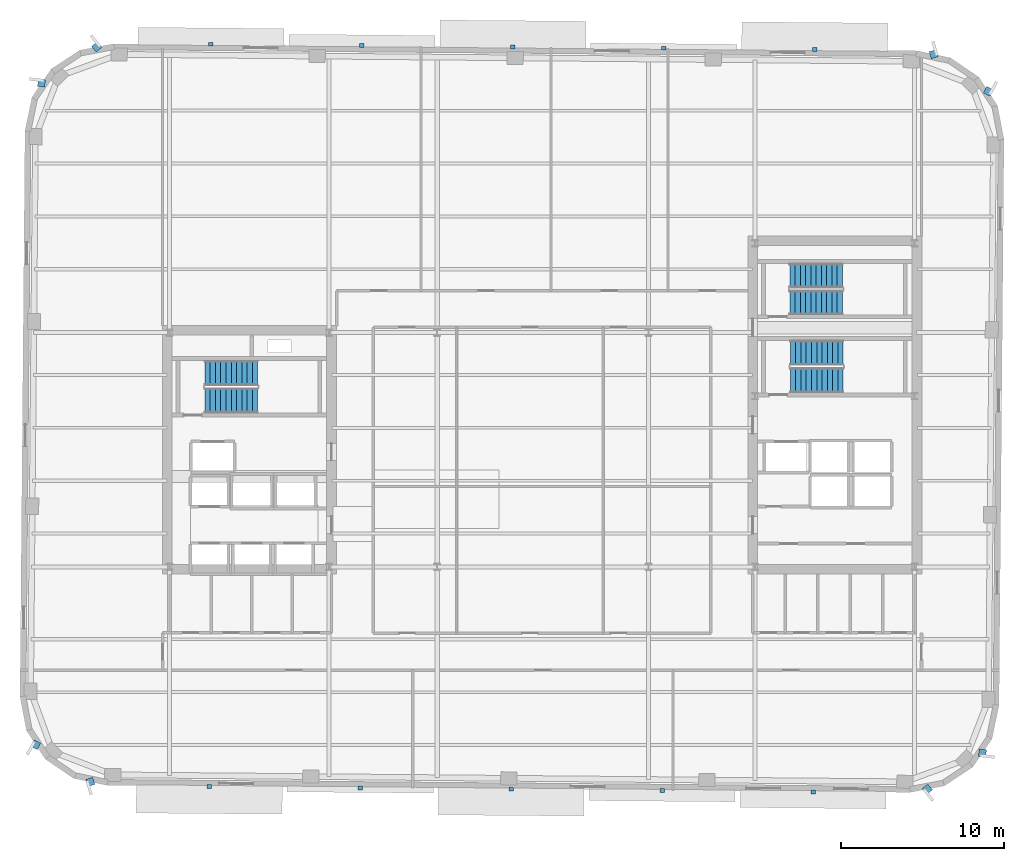
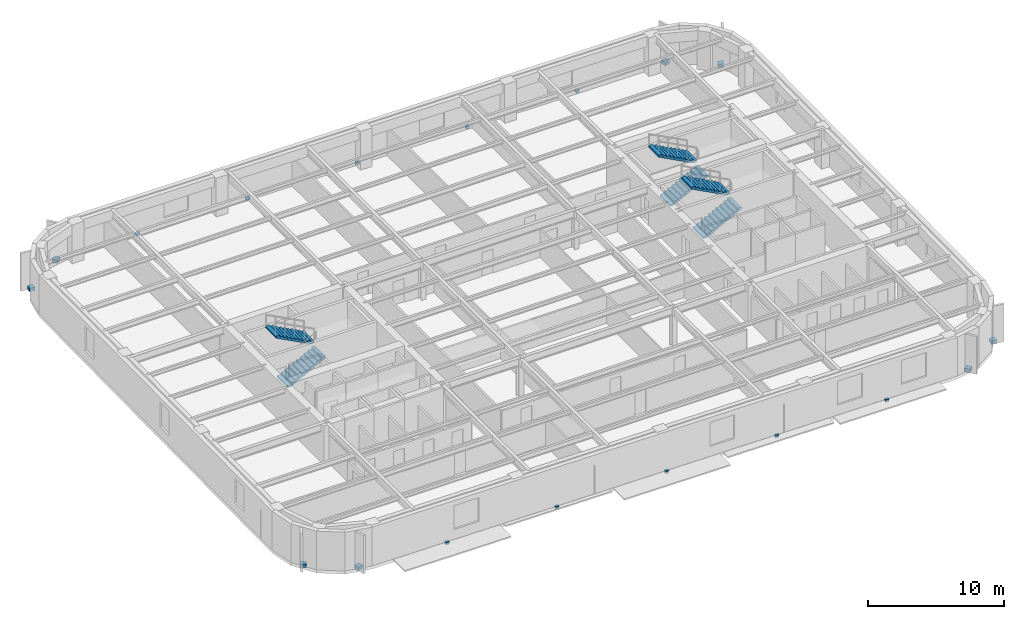
# One storey, part 7 of 12: 18 discrete accessories, 6 stair flights, 3 elements without a shape of their own.
"""IFC4 building model written with IfcOpenShell, lengths in metres."""

from ifc_helpers import new_model, si_unit, direction, frame, origin, origin_2d, place, context, subcontext, project, spatial, polyline, rectangle, outline, extrude, material, type_object, element, aggregate, save


model = new_model("IFC4")

# Units and contexts
model_context = context("Model", 3, precision=1e-05, world=origin(), true_north=direction((0.0, 1.0)))
body_context = subcontext(model_context, "Body", "Model", "MODEL_VIEW")
ifc_project = project(units=[si_unit("LENGTHUNIT", "METRE"), si_unit("AREAUNIT", "SQUARE_METRE"), si_unit("VOLUMEUNIT", "CUBIC_METRE"), si_unit("PLANEANGLEUNIT", "RADIAN"), si_unit("MASSUNIT", "GRAM", prefix="KILO")], contexts=[model_context])

# Site, building, storey
site_placement = place(None, origin())
site = spatial("IfcSite", under=ifc_project, at=site_placement, CompositionType="ELEMENT")
building_placement = place(site_placement, origin())
building = spatial("IfcBuilding", under=site, at=building_placement, Name="Kolvaren Arena Tower", CompositionType="ELEMENT")
storey_placement = place(building_placement, frame((0.0, 0.0, 188.449951171875)))
storey = spatial("IfcBuildingStorey", under=building, at=storey_placement, Name="L45", CompositionType="ELEMENT", Elevation=188.449951171875)

# Stair, stair flights
ifc_material_1 = material(Name="Concrete 45 MPa", Category="concrete")
stair_type_1 = type_object("IfcStairType", Name="STAIR-CORE-150", PredefinedType="HALF_TURN_STAIR", material=ifc_material_1)
stair_1_placement = place(storey_placement, origin())
stair_1 = element("IfcStair", 1, at=stair_1_placement, inside=storey, type_object=stair_type_1, Name="L45 ST-E2", PredefinedType="HALF_TURN_STAIR")
stair_flight_type_1 = type_object("IfcStairFlightType", Name="FLT-150", PredefinedType="STRAIGHT", material=ifc_material_1)
stair_flight_1_placement = place(storey_placement, frame((52.679931640625, 35.699951171875, 0.0), z_axis=(0.0, 0.0, 1.0), x_axis=(1.0, 0.0, 0.0)))
stair_flight_1 = element("IfcStairFlight", 2, at=stair_flight_1_placement, type_object=stair_flight_type_1, Name="ST-E2 flight 1", NumberOfRisers=11, NumberOfTreads=10, PredefinedType="STRAIGHT", RiserHeight=0.170454545, TreadLength=0.324, context=body_context, shape_type="SweptSolid", body=[
    extrude(outline(polyline([(0.0, 0.0), (0.0, 0.17041015625), (0.323974609375, 0.17041015625), (0.323974609375, 0.3408203125), (0.64794921875, 0.3408203125), (0.64794921875, 0.511474609375), (0.971923828125, 0.511474609375), (0.971923828125, 0.681884765625), (1.2958984375, 0.681884765625), (1.2958984375, 0.852294921875), (1.6201171875, 0.852294921875), (1.6201171875, 1.022705078125), (1.944091796875, 1.022705078125), (1.944091796875, 1.193115234375), (2.26806640625, 1.193115234375), (2.26806640625, 1.363525390625), (2.592041015625, 1.363525390625), (2.592041015625, 1.5341796875), (2.916015625, 1.5341796875), (2.916015625, 1.70458984375), (3.239990234375, 1.70458984375), (3.239990234375, 1.875), (3.239990234375, 1.53515625), (0.322021484375, 0.0), (0.0, 0.0)])), frame((0.0, 0.75, 0.0), z_axis=(0.0, -1.0, 0.0), x_axis=(1.0, 0.0, 0.0)), (0.0, 0.0, 1.0), 1.5),
])
stair_flight_2_placement = place(storey_placement, frame((55.919921875, 37.35009765625, 1.875), z_axis=(0.0, 0.0, 1.0), x_axis=(-1.0, 0.0, 0.0)))
stair_flight_2 = element("IfcStairFlight", 3, at=stair_flight_2_placement, type_object=stair_flight_type_1, Name="ST-E2 flight 2", NumberOfRisers=11, NumberOfTreads=10, PredefinedType="STRAIGHT", RiserHeight=0.170454545, TreadLength=0.324, context=body_context, shape_type="SweptSolid", body=[
    extrude(outline(polyline([(0.0, 0.0), (0.0, 0.17041015625), (0.323974609375, 0.17041015625), (0.323974609375, 0.3408203125), (0.64794921875, 0.3408203125), (0.64794921875, 0.511474609375), (0.971923828125, 0.511474609375), (0.971923828125, 0.681884765625), (1.2958984375, 0.681884765625), (1.2958984375, 0.852294921875), (1.6201171875, 0.852294921875), (1.6201171875, 1.022705078125), (1.944091796875, 1.022705078125), (1.944091796875, 1.193115234375), (2.26806640625, 1.193115234375), (2.26806640625, 1.363525390625), (2.592041015625, 1.363525390625), (2.592041015625, 1.5341796875), (2.916015625, 1.5341796875), (2.916015625, 1.70458984375), (3.239990234375, 1.70458984375), (3.239990234375, 1.875), (3.239990234375, 1.53515625), (0.322021484375, 0.0), (0.0, 0.0)])), frame((0.0, 0.75, 0.0), z_axis=(0.0, -1.0, 0.0), x_axis=(1.0, 0.0, 0.0)), (0.0, 0.0, 1.0), 1.5),
])
aggregate(stair_1, [stair_flight_1, stair_flight_2])

stair_type_2 = type_object("IfcStairType", Name="STAIR-CORE-165", PredefinedType="HALF_TURN_STAIR", material=ifc_material_1)
stair_2_placement = place(storey_placement, origin())
stair_2 = element("IfcStair", 4, at=stair_2_placement, inside=storey, type_object=stair_type_2, Name="L45 ST-W1", PredefinedType="HALF_TURN_STAIR")
stair_flight_type_2 = type_object("IfcStairFlightType", Name="FLT-165", PredefinedType="STRAIGHT", material=ifc_material_1)
stair_flight_3_placement = place(storey_placement, frame((16.719970703125, 29.669921875, 0.0), z_axis=(0.0, 0.0, 1.0), x_axis=(1.0, 0.0, 0.0)))
stair_flight_3 = element("IfcStairFlight", 5, at=stair_flight_3_placement, type_object=stair_flight_type_2, Name="ST-W1 flight 1", NumberOfRisers=11, NumberOfTreads=10, PredefinedType="STRAIGHT", RiserHeight=0.170454545, TreadLength=0.324, context=body_context, shape_type="SweptSolid", body=[
    extrude(outline(polyline([(0.0, 0.0), (0.0, 0.17041015625), (0.323974609375, 0.17041015625), (0.323974609375, 0.3408203125), (0.64794921875, 0.3408203125), (0.64794921875, 0.511474609375), (0.971923828125, 0.511474609375), (0.971923828125, 0.681884765625), (1.2958984375, 0.681884765625), (1.2958984375, 0.852294921875), (1.6201171875, 0.852294921875), (1.6201171875, 1.022705078125), (1.944091796875, 1.022705078125), (1.944091796875, 1.193115234375), (2.26806640625, 1.193115234375), (2.26806640625, 1.363525390625), (2.592041015625, 1.363525390625), (2.592041015625, 1.5341796875), (2.916015625, 1.5341796875), (2.916015625, 1.70458984375), (3.239990234375, 1.70458984375), (3.239990234375, 1.875), (3.239990234375, 1.53515625), (0.322021484375, 0.0), (0.0, 0.0)])), frame((0.0, 0.77001953125, 0.0), z_axis=(0.0, -1.0, 0.0), x_axis=(1.0, 0.0, 0.0)), (0.0, 0.0, 1.0), 1.5400390625),
])
stair_flight_4_placement = place(storey_placement, frame((19.9599609375, 31.360107421875, 1.875), z_axis=(0.0, 0.0, 1.0), x_axis=(-1.0, 0.0, 0.0)))
stair_flight_4 = element("IfcStairFlight", 6, at=stair_flight_4_placement, type_object=stair_flight_type_2, Name="ST-W1 flight 2", NumberOfRisers=11, NumberOfTreads=10, PredefinedType="STRAIGHT", RiserHeight=0.170454545, TreadLength=0.324, context=body_context, shape_type="SweptSolid", body=[
    extrude(outline(polyline([(0.0, 0.0), (0.0, 0.17041015625), (0.323974609375, 0.17041015625), (0.323974609375, 0.3408203125), (0.64794921875, 0.3408203125), (0.64794921875, 0.511474609375), (0.971923828125, 0.511474609375), (0.971923828125, 0.681884765625), (1.2958984375, 0.681884765625), (1.2958984375, 0.852294921875), (1.6201171875, 0.852294921875), (1.6201171875, 1.022705078125), (1.944091796875, 1.022705078125), (1.944091796875, 1.193115234375), (2.26806640625, 1.193115234375), (2.26806640625, 1.363525390625), (2.592041015625, 1.363525390625), (2.592041015625, 1.5341796875), (2.916015625, 1.5341796875), (2.916015625, 1.70458984375), (3.239990234375, 1.70458984375), (3.239990234375, 1.875), (3.239990234375, 1.53515625), (0.322021484375, 0.0), (0.0, 0.0)])), frame((0.0, 0.77001953125, 0.0), z_axis=(0.0, -1.0, 0.0), x_axis=(1.0, 0.0, 0.0)), (0.0, 0.0, 1.0), 1.5400390625),
])
aggregate(stair_2, [stair_flight_3, stair_flight_4])

stair_3_placement = place(storey_placement, origin())
stair_3 = element("IfcStair", 7, at=stair_3_placement, inside=storey, type_object=stair_type_2, Name="L45 ST-E1", PredefinedType="HALF_TURN_STAIR")
stair_flight_5_placement = place(storey_placement, frame((52.719970703125, 30.919921875, 0.0), z_axis=(0.0, 0.0, 1.0), x_axis=(1.0, 0.0, 0.0)))
stair_flight_5 = element("IfcStairFlight", 8, at=stair_flight_5_placement, type_object=stair_flight_type_2, Name="ST-E1 flight 1", NumberOfRisers=11, NumberOfTreads=10, PredefinedType="STRAIGHT", RiserHeight=0.170454545, TreadLength=0.324, context=body_context, shape_type="SweptSolid", body=[
    extrude(outline(polyline([(0.0, 0.0), (0.0, 0.17041015625), (0.323974609375, 0.17041015625), (0.323974609375, 0.3408203125), (0.64794921875, 0.3408203125), (0.64794921875, 0.511474609375), (0.971923828125, 0.511474609375), (0.971923828125, 0.681884765625), (1.2958984375, 0.681884765625), (1.2958984375, 0.852294921875), (1.6201171875, 0.852294921875), (1.6201171875, 1.022705078125), (1.944091796875, 1.022705078125), (1.944091796875, 1.193115234375), (2.26806640625, 1.193115234375), (2.26806640625, 1.363525390625), (2.592041015625, 1.363525390625), (2.592041015625, 1.5341796875), (2.916015625, 1.5341796875), (2.916015625, 1.70458984375), (3.239990234375, 1.70458984375), (3.239990234375, 1.875), (3.239990234375, 1.53515625), (0.322021484375, 0.0), (0.0, 0.0)])), frame((0.0, 0.77001953125, 0.0), z_axis=(0.0, -1.0, 0.0), x_axis=(1.0, 0.0, 0.0)), (0.0, 0.0, 1.0), 1.5400390625),
])
stair_flight_6_placement = place(storey_placement, frame((55.9599609375, 32.610107421875, 1.875), z_axis=(0.0, 0.0, 1.0), x_axis=(-1.0, 0.0, 0.0)))
stair_flight_6 = element("IfcStairFlight", 9, at=stair_flight_6_placement, type_object=stair_flight_type_2, Name="ST-E1 flight 2", NumberOfRisers=11, NumberOfTreads=10, PredefinedType="STRAIGHT", RiserHeight=0.170454545, TreadLength=0.324, context=body_context, shape_type="SweptSolid", body=[
    extrude(outline(polyline([(0.0, 0.0), (0.0, 0.17041015625), (0.323974609375, 0.17041015625), (0.323974609375, 0.3408203125), (0.64794921875, 0.3408203125), (0.64794921875, 0.511474609375), (0.971923828125, 0.511474609375), (0.971923828125, 0.681884765625), (1.2958984375, 0.681884765625), (1.2958984375, 0.852294921875), (1.6201171875, 0.852294921875), (1.6201171875, 1.022705078125), (1.944091796875, 1.022705078125), (1.944091796875, 1.193115234375), (2.26806640625, 1.193115234375), (2.26806640625, 1.363525390625), (2.592041015625, 1.363525390625), (2.592041015625, 1.5341796875), (2.916015625, 1.5341796875), (2.916015625, 1.70458984375), (3.239990234375, 1.70458984375), (3.239990234375, 1.875), (3.239990234375, 1.53515625), (0.322021484375, 0.0), (0.0, 0.0)])), frame((0.0, 0.77001953125, 0.0), z_axis=(0.0, -1.0, 0.0), x_axis=(1.0, 0.0, 0.0)), (0.0, 0.0, 1.0), 1.5400390625),
])
aggregate(stair_3, [stair_flight_5, stair_flight_6])

# Discrete accessories
ifc_material_2 = material(Name="Stainless steel facade support bracket", Category="steel")
discrete_accessory_type = type_object("IfcDiscreteAccessoryType", Name="ACC-BRKT-1", PredefinedType="BRACKET", material=ifc_material_2)
for number, where, z_axis, x_axis, name in (
    (10, (61.135009765625, 5.78173828125, 0.02001953125), (0.0, 0.0, 1.0), (0.625923472184, -0.779884483093, 0.0), "Corner Fin Anchor Bracket (L45)"),
    (11, (64.52490234375, 8.00439453125, 0.02001953125), (0.0, 0.0, 1.0), (0.994056908234, -0.108861669984, 0.0), "Corner Fin Anchor Bracket (L45)"),
    (12, (64.880126953125, 48.687744140625, 0.02001953125), (0.0, 0.0, 1.0), (0.480994889615, 0.876723397751, 0.0), "Corner Fin Anchor Bracket (L45)"),
    (13, (61.529296875, 50.968994140625, 0.02001953125), (0.0, 0.0, 1.0), (-0.279812257957, 0.960054738177, 0.0), "Corner Fin Anchor Bracket (L45)"),
):
    element("IfcDiscreteAccessory", number, at=place(storey_placement, frame(where, z_axis=z_axis, x_axis=x_axis)), inside=storey, type_object=discrete_accessory_type, Name=name, PredefinedType="BRACKET", context=body_context, shape_type="SweptSolid", body=[
        extrude(rectangle(XDim=0.449951171875, YDim=0.449951171875, at=origin_2d()), origin(), (0.0, 0.0, 1.0), 0.300048828125),
    ])
for number, where, z_axis, x_axis, name in (
    (14, (17.08984375, 51.58251953125, -0.18017578125), (0.0, 0.0, 1.0), (0.999961923064, -0.008726535498, 0.0), "Sunshade Support Bracket (L45)"),
    (15, (26.369384765625, 51.50146484375, -0.18017578125), (0.0, 0.0, 1.0), (0.999961923064, -0.008726535498, 0.0), "Sunshade Support Bracket (L45)"),
    (16, (35.649169921875, 51.42041015625, -0.18017578125), (0.0, 0.0, 1.0), (0.999961923064, -0.008726535498, 0.0), "Sunshade Support Bracket (L45)"),
    (17, (44.9287109375, 51.339599609375, -0.18017578125), (0.0, 0.0, 1.0), (0.999961923064, -0.008726535498, 0.0), "Sunshade Support Bracket (L45)"),
    (18, (54.20849609375, 51.258544921875, -0.18017578125), (0.0, 0.0, 1.0), (0.999961923064, -0.008726535498, 0.0), "Sunshade Support Bracket (L45)"),
):
    element("IfcDiscreteAccessory", number, at=place(storey_placement, frame(where, z_axis=z_axis, x_axis=x_axis)), inside=storey, type_object=discrete_accessory_type, Name=name, PredefinedType="BRACKET", context=body_context, shape_type="SweptSolid", body=[
        extrude(rectangle(XDim=0.280029296875, YDim=0.239990234375, at=origin_2d()), origin(), (0.0, 0.0, 1.0), 0.239990234375),
    ])
for number, where, z_axis, x_axis, name in (
    (19, (10.06494140625, 51.418212890625, 0.02001953125), (0.0, 0.0, 1.0), (-0.625923472184, 0.779884483093, 0.0), "Corner Fin Anchor Bracket (L45)"),
    (20, (6.675048828125, 49.195556640625, 0.02001953125), (0.0, 0.0, 1.0), (-0.994056908234, 0.108861669984, 0.0), "Corner Fin Anchor Bracket (L45)"),
    (21, (6.31982421875, 8.51220703125, 0.02001953125), (0.0, 0.0, 1.0), (-0.480994889615, -0.876723397751, 0.0), "Corner Fin Anchor Bracket (L45)"),
    (22, (9.670654296875, 6.23095703125, 0.02001953125), (0.0, 0.0, 1.0), (0.279812257957, -0.960054738177, 0.0), "Corner Fin Anchor Bracket (L45)"),
):
    element("IfcDiscreteAccessory", number, at=place(storey_placement, frame(where, z_axis=z_axis, x_axis=x_axis)), inside=storey, type_object=discrete_accessory_type, Name=name, PredefinedType="BRACKET", context=body_context, shape_type="SweptSolid", body=[
        extrude(rectangle(XDim=0.449951171875, YDim=0.449951171875, at=origin_2d()), origin(), (0.0, 0.0, 1.0), 0.300048828125),
    ])
for number, where, z_axis, x_axis, name in (
    (23, (54.110107421875, 5.61767578125, -0.18017578125), (0.0, 0.0, 1.0), (-0.999961923064, 0.008726535498, 0.0), "Sunshade Support Bracket (L45)"),
    (24, (44.83056640625, 5.698486328125, -0.18017578125), (0.0, 0.0, 1.0), (-0.999961923064, 0.008726535498, 0.0), "Sunshade Support Bracket (L45)"),
    (25, (35.55078125, 5.779541015625, -0.18017578125), (0.0, 0.0, 1.0), (-0.999961923064, 0.008726535498, 0.0), "Sunshade Support Bracket (L45)"),
    (26, (26.271240234375, 5.860595703125, -0.18017578125), (0.0, 0.0, 1.0), (-0.999961923064, 0.008726535498, 0.0), "Sunshade Support Bracket (L45)"),
    (27, (16.99169921875, 5.94140625, -0.18017578125), (0.0, 0.0, 1.0), (-0.999961923064, 0.008726535498, 0.0), "Sunshade Support Bracket (L45)"),
):
    element("IfcDiscreteAccessory", number, at=place(storey_placement, frame(where, z_axis=z_axis, x_axis=x_axis)), inside=storey, type_object=discrete_accessory_type, Name=name, PredefinedType="BRACKET", context=body_context, shape_type="SweptSolid", body=[
        extrude(rectangle(XDim=0.280029296875, YDim=0.239990234375, at=origin_2d()), origin(), (0.0, 0.0, 1.0), 0.239990234375),
    ])

save(model, "model.ifc")
